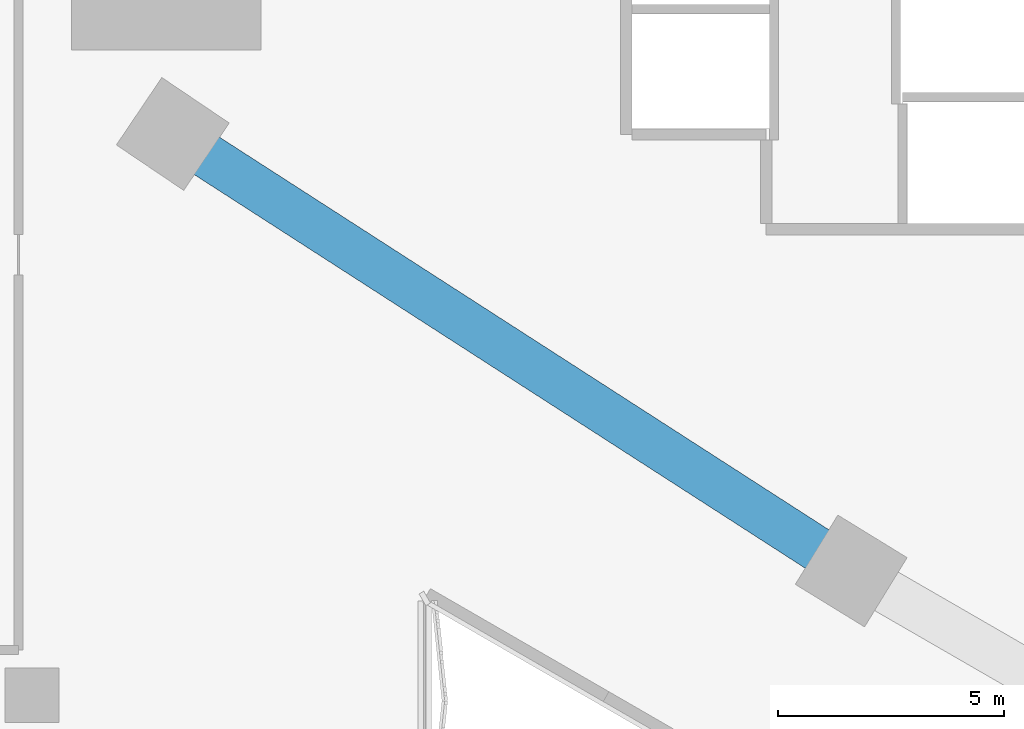
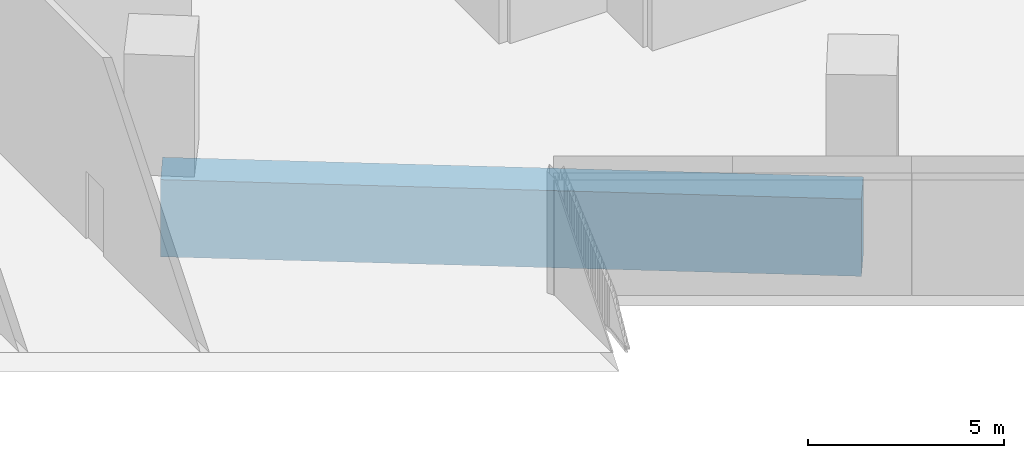
# One storey, part 3 of 32: 1 beam.
"""IFC4 building model written with IfcOpenShell, lengths in metres."""

import ifcopenshell
import ifcopenshell.guid

model = None  # the IFC model being written
_history = None  # IfcOwnerHistory: only IFC2X3 demands one
_inside = {}  # id of a spatial element -> (the spatial element, [elements in it])
_under = {}  # id of a project, library or spatial element -> (it, [spatial elements below it])
_declared = {}  # id of a project -> (the project, [libraries it declares])
_typed = {}  # id of a type object -> (the type object, [elements of that type])
_made_of = {}  # id of a material, layer set ... -> (it, [elements and type objects made of it])


def new_model(schema):
    """Start an empty IFC model of exactly this schema.

    Asked for "IFC4X3", IfcOpenShell would pick the latest addendum, in which some entities
    have other attributes; the version numbers below select the first issue.
    IFC2X3 requires an IfcOwnerHistory on every rooted entity: one is made here for all.
    """
    global model, _history
    if schema == "IFC4X3":
        model = ifcopenshell.file(schema_version=(4, 3, 0, 0))
    else:
        model = ifcopenshell.file(schema=schema)
    _inside.clear()
    _under.clear()
    _declared.clear()
    _typed.clear()
    _made_of.clear()
    _history = None
    if model.schema == "IFC2X3":
        org = make("IfcOrganization", Name="unknown")
        user = make(
            "IfcPersonAndOrganization",
            ThePerson=make("IfcPerson", FamilyName="unknown"),
            TheOrganization=org,
        )
        app = make(
            "IfcApplication",
            ApplicationDeveloper=org,
            Version="unknown",
            ApplicationFullName="unknown",
            ApplicationIdentifier="unknown",
        )
        _history = make(
            "IfcOwnerHistory",
            OwningUser=user,
            OwningApplication=app,
            ChangeAction="ADDED",
            CreationDate=0,
        )
    return model


def make(cls, **values):
    """One entity of the class cls with the attributes given. An attribute that is None is left unset."""
    return model.create_entity(
        cls, **{name: value for name, value in values.items() if value is not None}
    )


def rooted(cls, **values):
    """An entity with a GlobalId (a new one), such as an element, a storey or a relation."""
    return make(cls, GlobalId=ifcopenshell.guid.new(), OwnerHistory=_history, **values)


def si_unit(unit_type, name, prefix=None):
    """IfcSIUnit, for example si_unit("LENGTHUNIT", "METRE", prefix="MILLI")."""
    return make("IfcSIUnit", UnitType=unit_type, Prefix=prefix, Name=name)


def assignment(units):
    """IfcUnitAssignment: the units of a project."""
    return None if units is None else make("IfcUnitAssignment", Units=units)


def point(xyz):
    """IfcCartesianPoint."""
    return None if xyz is None else make("IfcCartesianPoint", Coordinates=xyz)


def direction(xyz):
    """IfcDirection."""
    return None if xyz is None else make("IfcDirection", DirectionRatios=xyz)


def frame(location, z_axis=None, x_axis=None):
    """IfcAxis2Placement3D, a coordinate frame: its origin and axes. An axis left out is left unset."""
    return make(
        "IfcAxis2Placement3D",
        Location=point(location),
        Axis=direction(z_axis),
        RefDirection=direction(x_axis),
    )


def frame_2d(location, x_axis=None):
    """IfcAxis2Placement2D, a coordinate frame in the plane: its origin and x axis."""
    return make(
        "IfcAxis2Placement2D", Location=point(location), RefDirection=direction(x_axis)
    )


def origin():
    """The frame at (0, 0, 0) with its axes left unset."""
    return frame((0.0, 0.0, 0.0))


def origin_2d():
    """The frame at (0, 0) in the plane with its x axis left unset."""
    return frame_2d((0.0, 0.0))


def place(relative_to, where):
    """IfcLocalPlacement: puts the frame where relative to a parent placement (None: the world)."""
    return make(
        "IfcLocalPlacement", PlacementRelTo=relative_to, RelativePlacement=where
    )


def context(
    kind, dimensions, precision=None, world=None, true_north=None, identifier=None
):
    """IfcGeometricRepresentationContext, for example the 3D "Model" context."""
    return make(
        "IfcGeometricRepresentationContext",
        ContextIdentifier=identifier,
        ContextType=kind,
        CoordinateSpaceDimension=dimensions,
        Precision=precision,
        WorldCoordinateSystem=world,
        TrueNorth=true_north,
    )


def subcontext(parent, identifier, kind, view, scale=None):
    """IfcGeometricRepresentationSubContext, for example "Body" below "Model"."""
    return make(
        "IfcGeometricRepresentationSubContext",
        ContextIdentifier=identifier,
        ContextType=kind,
        ParentContext=parent,
        TargetScale=scale,
        TargetView=view,
    )


def project(units=None, contexts=None):
    """IfcProject with its units and contexts."""
    return rooted(
        "IfcProject",
        Name="project",
        RepresentationContexts=contexts,
        UnitsInContext=assignment(units),
    )


def spatial(cls, under=None, at=None, **own):
    """A site, building, storey or space (cls), placed at a placement, below another one or the project."""
    s = rooted(cls, ObjectPlacement=at, **own)
    if under is not None:
        _under.setdefault(under.id(), (under, []))[1].append(s)
    return s


def profile(cls, at=None, kind="AREA", **sizes):
    """A parametric profile (cls). Its sizes go by their IFC names, for example OverallWidth=200.0."""
    return make(cls, ProfileType=kind, Position=at, **sizes)


def rectangle(**sizes):
    """IfcRectangleProfileDef."""
    return profile("IfcRectangleProfileDef", **sizes)


def extrude(swept, where, along, depth):
    """IfcExtrudedAreaSolid: the profile swept, set in the frame where, extruded along a direction by depth."""
    return make(
        "IfcExtrudedAreaSolid",
        SweptArea=swept,
        Position=where,
        ExtrudedDirection=direction(along),
        Depth=depth,
    )


def shape(context_of_items, identifier, shape_type, items):
    """IfcShapeRepresentation: the items that make up one representation, for example the "Body"."""
    return make(
        "IfcShapeRepresentation",
        ContextOfItems=context_of_items,
        RepresentationIdentifier=identifier,
        RepresentationType=shape_type,
        Items=items,
    )


def material(Name=None, Category=None):
    """IfcMaterial."""
    return make("IfcMaterial", Name=Name, Category=Category)


def material_profile(
    of_material, cross_section, Name=None, Category=None, Priority=None
):
    """IfcMaterialProfile: a cross section and its material."""
    return make(
        "IfcMaterialProfile",
        Name=Name,
        Material=of_material,
        Profile=cross_section,
        Priority=Priority,
        Category=Category,
    )


def profile_set(profiles, Name=None, composite=None):
    """IfcMaterialProfileSet."""
    return make(
        "IfcMaterialProfileSet",
        Name=Name,
        MaterialProfiles=profiles,
        CompositeProfile=composite,
    )


def made_of(thing, what):
    """Note that an element or type object is made of a material, layer set ...; save() writes the relation."""
    if what is not None:
        _made_of.setdefault(what.id(), (what, []))[1].append(thing)
    return thing


def type_object(cls, material=None, **own):
    """A type object (cls), such as IfcWallType, which elements share."""
    return made_of(rooted(cls, **own), material)


def element(
    cls,
    number,
    at=None,
    inside=None,
    cuts=None,
    type_object=None,
    material=None,
    context=None,
    identifier="Body",
    shape_type=None,
    held_by="IfcProductDefinitionShape",
    body=None,
    shapes=None,
    **own,
):
    """One element of the class cls, such as IfcWall. Its Tag is "e" and its number.

    at: its placement. inside: the storey or other place that contains it. cuts: it is an
    opening in that element (IfcRelVoidsElement). A single representation is given by context,
    identifier, shape_type and body (its items); several are given by shapes. held_by: the class
    of the entity that holds the representations. save() writes the other relations.
    """
    e = rooted(cls, Tag="e%d" % number, ObjectPlacement=at, **own)
    if body is not None:
        shapes = [shape(context, identifier, shape_type, body)]
    if shapes is not None:
        e.Representation = make(held_by, Representations=shapes)
    if inside is not None:
        _inside.setdefault(inside.id(), (inside, []))[1].append(e)
    if cuts is not None:
        rooted(
            "IfcRelVoidsElement", RelatingBuildingElement=cuts, RelatedOpeningElement=e
        )
    if type_object is not None:
        _typed.setdefault(type_object.id(), (type_object, []))[1].append(e)
    return made_of(e, material)


def aggregate(whole, parts):
    """IfcRelAggregates: a whole, such as a stair, and the parts it consists of."""
    return rooted("IfcRelAggregates", RelatingObject=whole, RelatedObjects=parts)


def save(model, path):
    """Write the relations noted so far, then the file.

    IfcRelAggregates (storeys below a building ...), IfcRelContainedInSpatialStructure (elements
    in a storey), IfcRelDefinesByType, IfcRelAssociatesMaterial and IfcRelDeclares: one each for
    every whole, place, type object, material and project.
    """
    for whole, parts in _under.values():
        aggregate(whole, parts)
    for where, things in _inside.values():
        rooted(
            "IfcRelContainedInSpatialStructure",
            RelatedElements=things,
            RelatingStructure=where,
        )
    for kind, things in _typed.values():
        rooted("IfcRelDefinesByType", RelatedObjects=things, RelatingType=kind)
    for what, things in _made_of.values():
        rooted("IfcRelAssociatesMaterial", RelatedObjects=things, RelatingMaterial=what)
    for by, libraries in _declared.values():
        rooted("IfcRelDeclares", RelatingContext=by, RelatedDefinitions=libraries)
    model.write(path)


model = new_model("IFC4")

# Units and contexts
model_context = context("Model", 3, precision=1e-05, world=origin(), true_north=direction((0.0, 1.0)))
body_context = subcontext(model_context, "Body", "Model", "MODEL_VIEW")
ifc_project = project(units=[si_unit("LENGTHUNIT", "METRE"), si_unit("AREAUNIT", "SQUARE_METRE"), si_unit("VOLUMEUNIT", "CUBIC_METRE"), si_unit("PLANEANGLEUNIT", "RADIAN"), si_unit("MASSUNIT", "GRAM", prefix="KILO")], contexts=[model_context])

# Site, building, storey
site_placement = place(None, origin())
site = spatial("IfcSite", under=ifc_project, at=site_placement, CompositionType="ELEMENT")
building_placement = place(site_placement, origin())
building = spatial("IfcBuilding", under=site, at=building_placement, Name="Tamra Quay Hotel Tower", CompositionType="ELEMENT")
storey_placement = place(building_placement, frame((0.0, 0.0, 7.5)))
storey = spatial("IfcBuildingStorey", under=building, at=storey_placement, Name="L01", CompositionType="ELEMENT", Elevation=7.5)

# Beam
ifc_material = material(Name="Concrete M60", Category="concrete")
ifc_material_profile = material_profile(ifc_material, rectangle(XDim=1.0, YDim=2.39990234375, at=origin_2d()), Name="PODIUM RING GIRDER RC 1000x2400")
ifc_profile_set = profile_set([ifc_material_profile], Name="Concrete M60")
beam_type = type_object("IfcBeamType", Name="PODIUM RING GIRDER RC 1000x2400", PredefinedType="BEAM", material=ifc_profile_set)
beam_placement = place(storey_placement, frame((-35.58349609375, -3.564697265625, -1.60009765625), z_axis=(0.840663037387, -0.541558544915, 0.0), x_axis=(0.541558544915, 0.840663037387, 0.0)))
element("IfcBeam", 1, at=beam_placement, inside=storey, type_object=beam_type, Name="BM-PG007-L01", PredefinedType="BEAM", context=body_context, shape_type="SweptSolid", body=[
    extrude(rectangle(XDim=1.0, YDim=2.39990234375, at=origin_2d()), origin(), (0.0, 0.0, 1.0), 17.880615234375),
])

save(model, "model.ifc")
